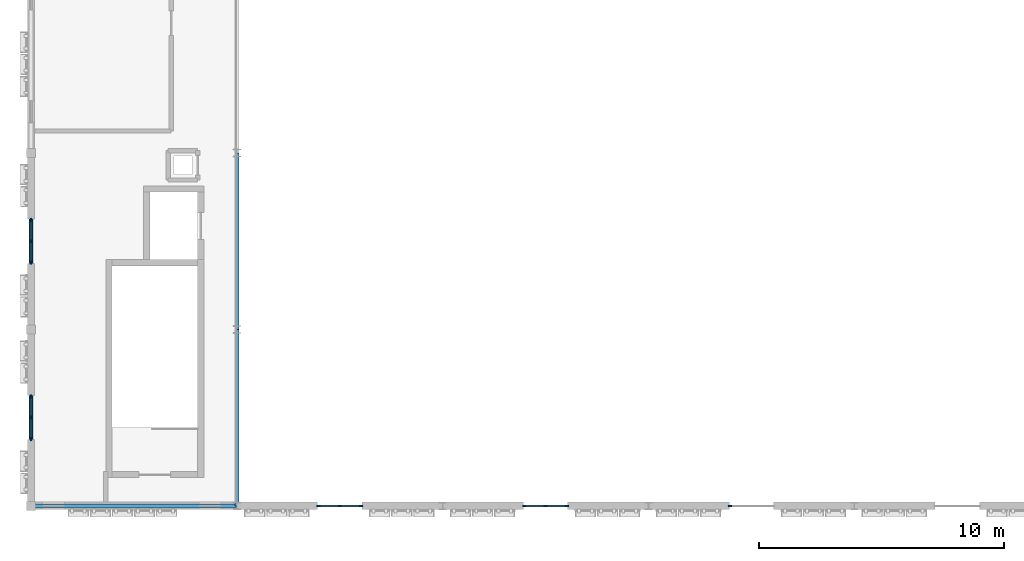
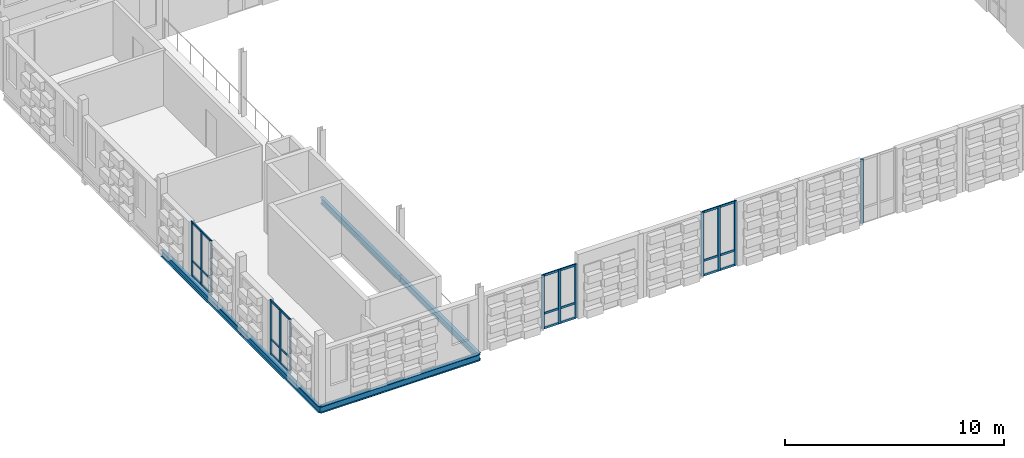
# One storey, part 5 of 57: 25 members, 5 beams, 5 elements without a shape of their own.
"""IFC4 building model written with IfcOpenShell, lengths in metres."""

from ifc_helpers import new_model, si_unit, direction, frame, origin, origin_2d, place, context, subcontext, project, spatial, rectangle, i_section, extrude, material, material_profile, profile_set, type_object, element, aggregate, save


model = new_model("IFC4")

# Units and contexts
model_context = context("Model", 3, precision=1e-05, world=origin(), true_north=direction((0.0, 1.0)))
body_context = subcontext(model_context, "Body", "Model", "MODEL_VIEW")
ifc_project = project(units=[si_unit("LENGTHUNIT", "METRE"), si_unit("AREAUNIT", "SQUARE_METRE"), si_unit("VOLUMEUNIT", "CUBIC_METRE"), si_unit("PLANEANGLEUNIT", "RADIAN"), si_unit("MASSUNIT", "GRAM", prefix="KILO")], contexts=[model_context])

# Site, building, storey
site_placement = place(None, origin())
site = spatial("IfcSite", under=ifc_project, at=site_placement, CompositionType="ELEMENT")
building_placement = place(site_placement, origin())
building = spatial("IfcBuilding", under=site, at=building_placement, Name="Kahlenmark Community Centre", CompositionType="ELEMENT")
storey_placement = place(building_placement, frame((0.0, 0.0, 13.800048828125)))
storey = spatial("IfcBuildingStorey", under=building, at=storey_placement, Name="L03", CompositionType="ELEMENT", Elevation=13.800048828125)

# Beams
ifc_material_1 = material(Name="Steel S355", Category="steel")
ifc_material_profile_1 = material_profile(ifc_material_1, i_section(OverallWidth=0.169921875, OverallDepth=0.360107421875, WebThickness=0.008056640625, FlangeThickness=0.0126953125, at=origin_2d()), Name="IPE 360")
ifc_profile_set_1 = profile_set([ifc_material_profile_1], Name="Steel S355")
beam_type = type_object("IfcBeamType", Name="BT-SPANDREL-IPE360", PredefinedType="SPANDREL", material=ifc_profile_set_1)
beam_placement = place(storey_placement, frame((4.0, 8.800048828125, -0.380126953125), z_axis=(1.0, 0.0, 0.0), x_axis=(0.0, 1.0, 0.0)))
element("IfcBeam", 1, at=beam_placement, inside=storey, type_object=beam_type, Name="L03 spandrel SP-IPE360", PredefinedType="SPANDREL", context=body_context, shape_type="SweptSolid", body=[
    extrude(i_section(OverallWidth=0.169921875, OverallDepth=0.360107421875, WebThickness=0.008056640625, FlangeThickness=0.0126953125, at=origin_2d()), origin(), (0.0, 0.0, 1.0), 8.39990234375),
])
for number, where, z_axis, x_axis, name in (
    (2, (4.0, 8.800048828125, -0.380126953125), (0.0, 1.0, 0.0), (-1.0, 0.0, 0.0), "L03 spandrel SP-IPE360"),
    (3, (4.0, 16.0, -0.380126953125), (0.0, 1.0, 0.0), (-1.0, 0.0, 0.0), "L03 spandrel SP-IPE360"),
    (4, (12.39990234375, 8.800048828125, -0.380126953125), (0.0, 1.0, 0.0), (-1.0, 0.0, 0.0), "L03 spandrel SP-IPE360"),
    (5, (12.39990234375, 16.0, -0.380126953125), (0.0, 1.0, 0.0), (-1.0, 0.0, 0.0), "L03 spandrel SP-IPE360"),
):
    element("IfcBeam", number, at=place(storey_placement, frame(where, z_axis=z_axis, x_axis=x_axis)), inside=storey, type_object=beam_type, Name=name, PredefinedType="SPANDREL", context=body_context, shape_type="SweptSolid", body=[
        extrude(i_section(OverallWidth=0.169921875, OverallDepth=0.360107421875, WebThickness=0.008056640625, FlangeThickness=0.0126953125, at=origin_2d()), origin(), (0.0, 0.0, 1.0), 7.199951171875),
    ])

# Curtain wall, members
ifc_material_2 = material(Name="Anodised aluminium unitised curtain wall", Category="aluminium")
curtain_wall_type_1 = type_object("IfcCurtainWallType", Name="CWT-UNIT-180X301", PredefinedType="USERDEFINED", material=ifc_material_2)
curtain_wall_1_placement = place(storey_placement, origin())
curtain_wall_1 = element("IfcCurtainWall", 6, at=curtain_wall_1_placement, inside=storey, type_object=curtain_wall_type_1, Name="Unitised curtain wall CW-105", ObjectType="UNITISED CURTAIN WALL", PredefinedType="USERDEFINED")
ifc_material_3 = material(Name="Anodised aluminium 6063-T6", Category="aluminium")
ifc_material_profile_2 = material_profile(ifc_material_3, rectangle(XDim=0.06005859375, YDim=0.139892578125, at=origin_2d()), Name="ALU MULLION 60x140")
ifc_profile_set_2 = profile_set([ifc_material_profile_2], Name="Anodised aluminium 6063-T6")
member_type_1 = type_object("IfcMemberType", Name="MT-MUL-140", PredefinedType="MULLION", material=ifc_profile_set_2)
member_1_placement = place(storey_placement, frame((15.72998046875, 8.800048828125, 0.0), z_axis=(0.0, 0.0, 1.0), x_axis=(0.0, 1.0, 0.0)))
member_1 = element("IfcMember", 7, at=member_1_placement, type_object=member_type_1, Name="CW-105 mullion 1", PredefinedType="MULLION", context=body_context, shape_type="SweptSolid", body=[
    extrude(rectangle(XDim=0.06005859375, YDim=0.139892578125, at=origin_2d()), origin(), (0.0, 0.0, 1.0), 3.010009765625),
])
member_2_placement = place(storey_placement, frame((16.60009765625, 8.800048828125, 0.0), z_axis=(0.0, 0.0, 1.0), x_axis=(0.0, 1.0, 0.0)))
member_2 = element("IfcMember", 8, at=member_2_placement, type_object=member_type_1, Name="CW-105 mullion 2", PredefinedType="MULLION", context=body_context, shape_type="SweptSolid", body=[
    extrude(rectangle(XDim=0.06005859375, YDim=0.139892578125, at=origin_2d()), origin(), (0.0, 0.0, 1.0), 3.010009765625),
])
member_3_placement = place(storey_placement, frame((17.469970703125, 8.800048828125, 0.0), z_axis=(0.0, 0.0, 1.0), x_axis=(0.0, 1.0, 0.0)))
member_3 = element("IfcMember", 9, at=member_3_placement, type_object=member_type_1, Name="CW-105 mullion 3", PredefinedType="MULLION", context=body_context, shape_type="SweptSolid", body=[
    extrude(rectangle(XDim=0.06005859375, YDim=0.139892578125, at=origin_2d()), origin(), (0.0, 0.0, 1.0), 3.010009765625),
])

curtain_wall_type_2 = type_object("IfcCurtainWallType", Name="CWT-UNIT-180X359", PredefinedType="USERDEFINED", material=ifc_material_2)
curtain_wall_2_placement = place(storey_placement, origin())
curtain_wall_2 = element("IfcCurtainWall", 10, at=curtain_wall_2_placement, inside=storey, type_object=curtain_wall_type_2, Name="Unitised curtain wall CW-106", ObjectType="UNITISED CURTAIN WALL", PredefinedType="USERDEFINED")
member_4_placement = place(storey_placement, frame((24.1298828125, 8.800048828125, 0.0), z_axis=(0.0, 0.0, 1.0), x_axis=(0.0, 1.0, 0.0)))
member_4 = element("IfcMember", 11, at=member_4_placement, type_object=member_type_1, Name="CW-106 mullion 1", PredefinedType="MULLION", context=body_context, shape_type="SweptSolid", body=[
    extrude(rectangle(XDim=0.06005859375, YDim=0.139892578125, at=origin_2d()), origin(), (0.0, 0.0, 1.0), 3.58984375),
])
member_5_placement = place(storey_placement, frame((25.0, 8.800048828125, 0.0), z_axis=(0.0, 0.0, 1.0), x_axis=(0.0, 1.0, 0.0)))
member_5 = element("IfcMember", 12, at=member_5_placement, type_object=member_type_1, Name="CW-106 mullion 2", PredefinedType="MULLION", context=body_context, shape_type="SweptSolid", body=[
    extrude(rectangle(XDim=0.06005859375, YDim=0.139892578125, at=origin_2d()), origin(), (0.0, 0.0, 1.0), 3.58984375),
])
member_6_placement = place(storey_placement, frame((25.8701171875, 8.800048828125, 0.0), z_axis=(0.0, 0.0, 1.0), x_axis=(0.0, 1.0, 0.0)))
member_6 = element("IfcMember", 13, at=member_6_placement, type_object=member_type_1, Name="CW-106 mullion 3", PredefinedType="MULLION", context=body_context, shape_type="SweptSolid", body=[
    extrude(rectangle(XDim=0.06005859375, YDim=0.139892578125, at=origin_2d()), origin(), (0.0, 0.0, 1.0), 3.58984375),
])

# Curtain wall, member
curtain_wall_3_placement = place(storey_placement, origin())
curtain_wall_3 = element("IfcCurtainWall", 14, at=curtain_wall_3_placement, inside=storey, type_object=curtain_wall_type_2, Name="Unitised curtain wall CW-107", ObjectType="UNITISED CURTAIN WALL", PredefinedType="USERDEFINED")
member_7_placement = place(storey_placement, frame((32.530029296875, 8.800048828125, 0.0), z_axis=(0.0, 0.0, 1.0), x_axis=(0.0, 1.0, 0.0)))
member_7 = element("IfcMember", 15, at=member_7_placement, type_object=member_type_1, Name="CW-107 mullion 1", PredefinedType="MULLION", context=body_context, shape_type="SweptSolid", body=[
    extrude(rectangle(XDim=0.06005859375, YDim=0.139892578125, at=origin_2d()), origin(), (0.0, 0.0, 1.0), 3.58984375),
])
aggregate(curtain_wall_3, [member_7])

# Curtain wall, members
curtain_wall_4_placement = place(storey_placement, origin())
curtain_wall_4 = element("IfcCurtainWall", 16, at=curtain_wall_4_placement, inside=storey, type_object=curtain_wall_type_1, Name="Unitised curtain wall CW-113", ObjectType="UNITISED CURTAIN WALL", PredefinedType="USERDEFINED")
member_8_placement = place(storey_placement, frame((4.0, 13.27001953125, 0.0), z_axis=(0.0, 0.0, 1.0), x_axis=(1.0, 0.0, 0.0)))
member_8 = element("IfcMember", 17, at=member_8_placement, type_object=member_type_1, Name="CW-113 mullion 1", PredefinedType="MULLION", context=body_context, shape_type="SweptSolid", body=[
    extrude(rectangle(XDim=0.06005859375, YDim=0.139892578125, at=origin_2d()), origin(), (0.0, 0.0, 1.0), 3.010009765625),
])
member_9_placement = place(storey_placement, frame((4.0, 12.39990234375, 0.0), z_axis=(0.0, 0.0, 1.0), x_axis=(1.0, 0.0, 0.0)))
member_9 = element("IfcMember", 18, at=member_9_placement, type_object=member_type_1, Name="CW-113 mullion 2", PredefinedType="MULLION", context=body_context, shape_type="SweptSolid", body=[
    extrude(rectangle(XDim=0.06005859375, YDim=0.139892578125, at=origin_2d()), origin(), (0.0, 0.0, 1.0), 3.010009765625),
])
member_10_placement = place(storey_placement, frame((4.0, 11.530029296875, 0.0), z_axis=(0.0, 0.0, 1.0), x_axis=(1.0, 0.0, 0.0)))
member_10 = element("IfcMember", 19, at=member_10_placement, type_object=member_type_1, Name="CW-113 mullion 3", PredefinedType="MULLION", context=body_context, shape_type="SweptSolid", body=[
    extrude(rectangle(XDim=0.06005859375, YDim=0.139892578125, at=origin_2d()), origin(), (0.0, 0.0, 1.0), 3.010009765625),
])

curtain_wall_5_placement = place(storey_placement, origin())
curtain_wall_5 = element("IfcCurtainWall", 20, at=curtain_wall_5_placement, inside=storey, type_object=curtain_wall_type_1, Name="Unitised curtain wall CW-114", ObjectType="UNITISED CURTAIN WALL", PredefinedType="USERDEFINED")
member_11_placement = place(storey_placement, frame((4.0, 20.469970703125, 0.0), z_axis=(0.0, 0.0, 1.0), x_axis=(1.0, 0.0, 0.0)))
member_11 = element("IfcMember", 21, at=member_11_placement, type_object=member_type_1, Name="CW-114 mullion 1", PredefinedType="MULLION", context=body_context, shape_type="SweptSolid", body=[
    extrude(rectangle(XDim=0.06005859375, YDim=0.139892578125, at=origin_2d()), origin(), (0.0, 0.0, 1.0), 3.010009765625),
])
member_12_placement = place(storey_placement, frame((4.0, 19.60009765625, 0.0), z_axis=(0.0, 0.0, 1.0), x_axis=(1.0, 0.0, 0.0)))
member_12 = element("IfcMember", 22, at=member_12_placement, type_object=member_type_1, Name="CW-114 mullion 2", PredefinedType="MULLION", context=body_context, shape_type="SweptSolid", body=[
    extrude(rectangle(XDim=0.06005859375, YDim=0.139892578125, at=origin_2d()), origin(), (0.0, 0.0, 1.0), 3.010009765625),
])
member_13_placement = place(storey_placement, frame((4.0, 18.72998046875, 0.0), z_axis=(0.0, 0.0, 1.0), x_axis=(1.0, 0.0, 0.0)))
member_13 = element("IfcMember", 23, at=member_13_placement, type_object=member_type_1, Name="CW-114 mullion 3", PredefinedType="MULLION", context=body_context, shape_type="SweptSolid", body=[
    extrude(rectangle(XDim=0.06005859375, YDim=0.139892578125, at=origin_2d()), origin(), (0.0, 0.0, 1.0), 3.010009765625),
])

# Member
ifc_material_profile_3 = material_profile(ifc_material_3, rectangle(XDim=0.06005859375, YDim=0.1201171875, at=origin_2d()), Name="ALU TRANSOM 60x120")
ifc_profile_set_3 = profile_set([ifc_material_profile_3], Name="Anodised aluminium 6063-T6")
member_type_2 = type_object("IfcMemberType", Name="MT-TRN-120", PredefinedType="USERDEFINED", material=ifc_profile_set_3)
member_14_placement = place(storey_placement, frame((15.72998046875, 8.800048828125, 0.0400390625), z_axis=(1.0, 0.0, 0.0), x_axis=(0.0, 1.0, 0.0)))
member_14 = element("IfcMember", 24, at=member_14_placement, type_object=member_type_2, Name="CW-105 transom 1", ObjectType="TRANSOM", PredefinedType="USERDEFINED", context=body_context, shape_type="SweptSolid", body=[
    extrude(rectangle(XDim=0.06005859375, YDim=0.1201171875, at=origin_2d()), origin(), (0.0, 0.0, 1.0), 1.739990234375),
])

member_15_placement = place(storey_placement, frame((15.72998046875, 8.800048828125, 0.849853515625), z_axis=(1.0, 0.0, 0.0), x_axis=(0.0, 1.0, 0.0)))
member_15 = element("IfcMember", 25, at=member_15_placement, type_object=member_type_2, Name="CW-105 transom 2", ObjectType="TRANSOM", PredefinedType="USERDEFINED", context=body_context, shape_type="SweptSolid", body=[
    extrude(rectangle(XDim=0.06005859375, YDim=0.1201171875, at=origin_2d()), origin(), (0.0, 0.0, 1.0), 1.739990234375),
])

member_16_placement = place(storey_placement, frame((15.72998046875, 8.800048828125, 2.969970703125), z_axis=(1.0, 0.0, 0.0), x_axis=(0.0, 1.0, 0.0)))
member_16 = element("IfcMember", 26, at=member_16_placement, type_object=member_type_2, Name="CW-105 transom 3", ObjectType="TRANSOM", PredefinedType="USERDEFINED", context=body_context, shape_type="SweptSolid", body=[
    extrude(rectangle(XDim=0.06005859375, YDim=0.1201171875, at=origin_2d()), origin(), (0.0, 0.0, 1.0), 1.739990234375),
])

aggregate(curtain_wall_1, [member_1, member_2, member_3, member_14, member_15, member_16])

member_17_placement = place(storey_placement, frame((24.1298828125, 8.800048828125, 0.0400390625), z_axis=(1.0, 0.0, 0.0), x_axis=(0.0, 1.0, 0.0)))
member_17 = element("IfcMember", 27, at=member_17_placement, type_object=member_type_2, Name="CW-106 transom 1", ObjectType="TRANSOM", PredefinedType="USERDEFINED", context=body_context, shape_type="SweptSolid", body=[
    extrude(rectangle(XDim=0.06005859375, YDim=0.1201171875, at=origin_2d()), origin(), (0.0, 0.0, 1.0), 1.740234375),
])

member_18_placement = place(storey_placement, frame((24.1298828125, 8.800048828125, 0.849853515625), z_axis=(1.0, 0.0, 0.0), x_axis=(0.0, 1.0, 0.0)))
member_18 = element("IfcMember", 28, at=member_18_placement, type_object=member_type_2, Name="CW-106 transom 2", ObjectType="TRANSOM", PredefinedType="USERDEFINED", context=body_context, shape_type="SweptSolid", body=[
    extrude(rectangle(XDim=0.06005859375, YDim=0.1201171875, at=origin_2d()), origin(), (0.0, 0.0, 1.0), 1.740234375),
])

member_19_placement = place(storey_placement, frame((24.1298828125, 8.800048828125, 3.550048828125), z_axis=(1.0, 0.0, 0.0), x_axis=(0.0, 1.0, 0.0)))
member_19 = element("IfcMember", 29, at=member_19_placement, type_object=member_type_2, Name="CW-106 transom 3", ObjectType="TRANSOM", PredefinedType="USERDEFINED", context=body_context, shape_type="SweptSolid", body=[
    extrude(rectangle(XDim=0.06005859375, YDim=0.1201171875, at=origin_2d()), origin(), (0.0, 0.0, 1.0), 1.740234375),
])

aggregate(curtain_wall_2, [member_4, member_5, member_6, member_17, member_18, member_19])

member_20_placement = place(storey_placement, frame((4.0, 13.27001953125, 0.0400390625), z_axis=(0.0, -1.0, 0.0), x_axis=(1.0, 0.0, 0.0)))
member_20 = element("IfcMember", 30, at=member_20_placement, type_object=member_type_2, Name="CW-113 transom 1", ObjectType="TRANSOM", PredefinedType="USERDEFINED", context=body_context, shape_type="SweptSolid", body=[
    extrude(rectangle(XDim=0.06005859375, YDim=0.1201171875, at=origin_2d()), origin(), (0.0, 0.0, 1.0), 1.739990234375),
])

member_21_placement = place(storey_placement, frame((4.0, 13.27001953125, 0.849853515625), z_axis=(0.0, -1.0, 0.0), x_axis=(1.0, 0.0, 0.0)))
member_21 = element("IfcMember", 31, at=member_21_placement, type_object=member_type_2, Name="CW-113 transom 2", ObjectType="TRANSOM", PredefinedType="USERDEFINED", context=body_context, shape_type="SweptSolid", body=[
    extrude(rectangle(XDim=0.06005859375, YDim=0.1201171875, at=origin_2d()), origin(), (0.0, 0.0, 1.0), 1.739990234375),
])

member_22_placement = place(storey_placement, frame((4.0, 13.27001953125, 2.969970703125), z_axis=(0.0, -1.0, 0.0), x_axis=(1.0, 0.0, 0.0)))
member_22 = element("IfcMember", 32, at=member_22_placement, type_object=member_type_2, Name="CW-113 transom 3", ObjectType="TRANSOM", PredefinedType="USERDEFINED", context=body_context, shape_type="SweptSolid", body=[
    extrude(rectangle(XDim=0.06005859375, YDim=0.1201171875, at=origin_2d()), origin(), (0.0, 0.0, 1.0), 1.739990234375),
])

aggregate(curtain_wall_4, [member_8, member_9, member_10, member_20, member_21, member_22])

member_23_placement = place(storey_placement, frame((4.0, 20.469970703125, 0.0400390625), z_axis=(0.0, -1.0, 0.0), x_axis=(1.0, 0.0, 0.0)))
member_23 = element("IfcMember", 33, at=member_23_placement, type_object=member_type_2, Name="CW-114 transom 1", ObjectType="TRANSOM", PredefinedType="USERDEFINED", context=body_context, shape_type="SweptSolid", body=[
    extrude(rectangle(XDim=0.06005859375, YDim=0.1201171875, at=origin_2d()), origin(), (0.0, 0.0, 1.0), 1.739990234375),
])

member_24_placement = place(storey_placement, frame((4.0, 20.469970703125, 0.849853515625), z_axis=(0.0, -1.0, 0.0), x_axis=(1.0, 0.0, 0.0)))
member_24 = element("IfcMember", 34, at=member_24_placement, type_object=member_type_2, Name="CW-114 transom 2", ObjectType="TRANSOM", PredefinedType="USERDEFINED", context=body_context, shape_type="SweptSolid", body=[
    extrude(rectangle(XDim=0.06005859375, YDim=0.1201171875, at=origin_2d()), origin(), (0.0, 0.0, 1.0), 1.739990234375),
])

member_25_placement = place(storey_placement, frame((4.0, 20.469970703125, 2.969970703125), z_axis=(0.0, -1.0, 0.0), x_axis=(1.0, 0.0, 0.0)))
member_25 = element("IfcMember", 35, at=member_25_placement, type_object=member_type_2, Name="CW-114 transom 3", ObjectType="TRANSOM", PredefinedType="USERDEFINED", context=body_context, shape_type="SweptSolid", body=[
    extrude(rectangle(XDim=0.06005859375, YDim=0.1201171875, at=origin_2d()), origin(), (0.0, 0.0, 1.0), 1.739990234375),
])

aggregate(curtain_wall_5, [member_11, member_12, member_13, member_23, member_24, member_25])

save(model, "model.ifc")
